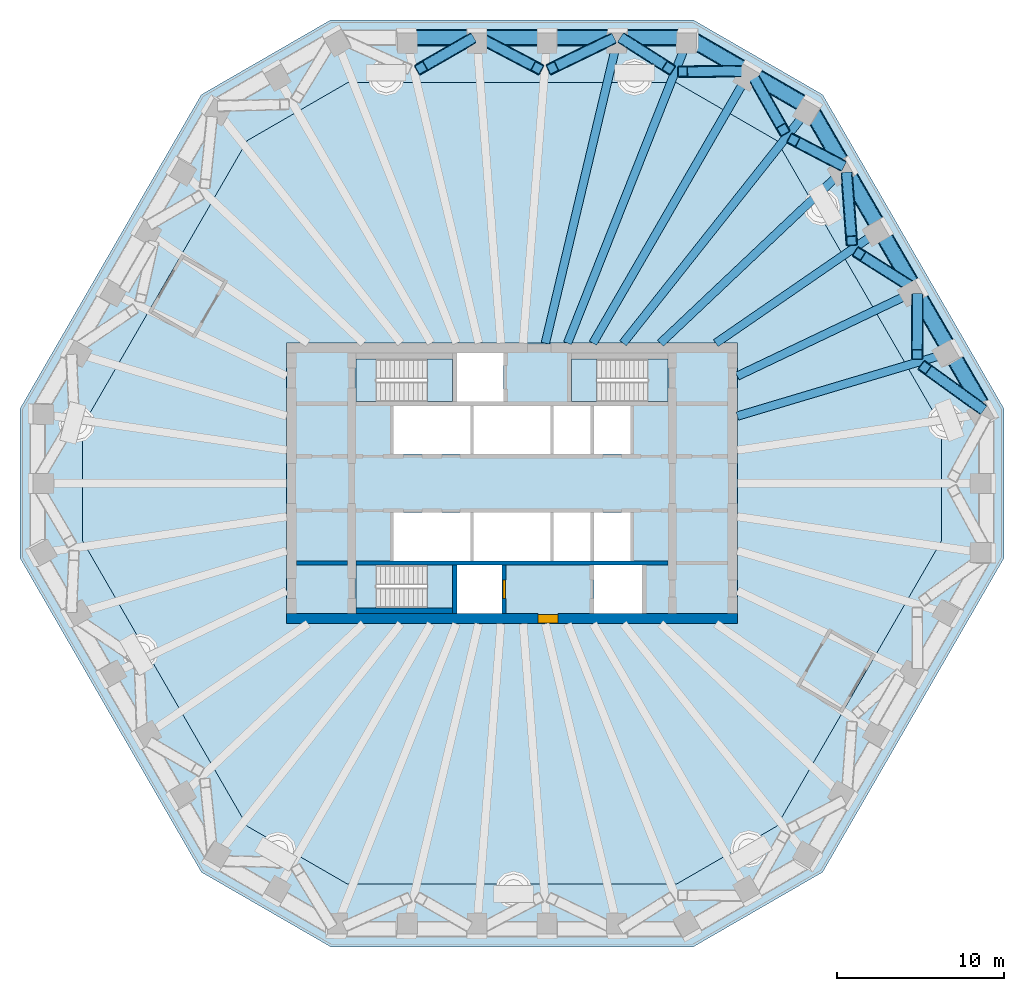
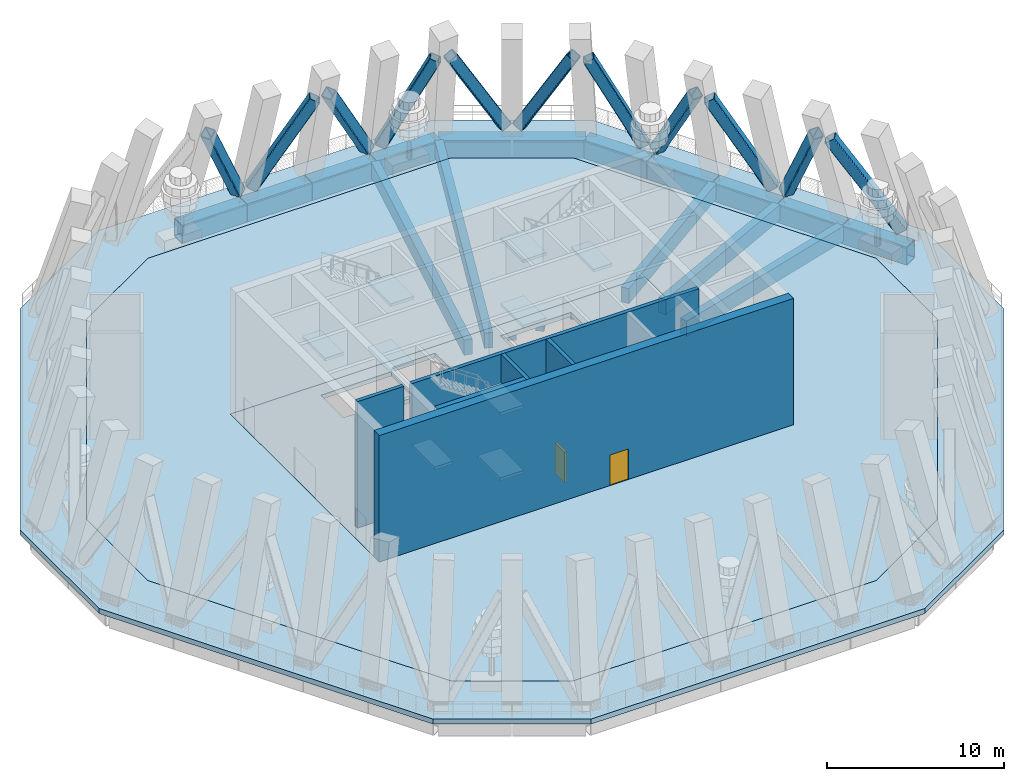
# One storey, part 3 of 11: 19 beams, 12 slabs, 11 members, 6 walls, 2 doors, 2 openings, 3 elements without a shape of their own.
"""IFC4 building model written with IfcOpenShell, lengths in metres."""

from ifc_helpers import new_model, si_unit, direction, frame, frame_2d, origin, origin_2d, place, context, subcontext, project, spatial, polyline, rectangle, hollow_rectangle, outline, extrude, material, layer, layer_set, material_profile, profile_set, type_object, element, fill, aggregate, save


model = new_model("IFC4")

# Units and contexts
model_context = context("Model", 3, precision=1e-05, world=origin(), true_north=direction((0.0, 1.0)))
body_context = subcontext(model_context, "Body", "Model", "MODEL_VIEW")
ifc_project = project(units=[si_unit("LENGTHUNIT", "METRE"), si_unit("AREAUNIT", "SQUARE_METRE"), si_unit("VOLUMEUNIT", "CUBIC_METRE"), si_unit("PLANEANGLEUNIT", "RADIAN"), si_unit("MASSUNIT", "GRAM", prefix="KILO")], contexts=[model_context])

# Site, building, storey
site_placement = place(None, origin())
site = spatial("IfcSite", under=ifc_project, at=site_placement, CompositionType="ELEMENT")
building_placement = place(site_placement, origin())
building = spatial("IfcBuilding", under=site, at=building_placement, Name="Frailejon Research Tower", CompositionType="ELEMENT")
storey_placement = place(building_placement, frame((0.0, 0.0, 202.39990234375)))
storey = spatial("IfcBuildingStorey", under=building, at=storey_placement, Name="L44", CompositionType="ELEMENT", Elevation=202.39990234375)

# Beams
ifc_material_1 = material(Name="Steel S355", Category="steel")
ifc_material_profile_1 = material_profile(ifc_material_1, hollow_rectangle(XDim=1.0, YDim=1.300048828125, WallThickness=0.06005859375, InnerFilletRadius=0.06005859375, OuterFilletRadius=0.1201171875, at=origin_2d()), Name="Belt chord")
ifc_profile_set_1 = profile_set([ifc_material_profile_1], Name="Steel S355")
beam_type_1 = type_object("IfcBeamType", Name="Belt chord", PredefinedType="BEAM", material=ifc_profile_set_1)
for number, where, z_axis, x_axis, name in (
    (1, (28.40283203125, 4.204833984375, -1.0), (-0.499991329354, 0.866030409726, 0.0), (-0.866030409726, -0.499991329354, 0.0), "Belt chord"),
    (2, (26.286865234375, 7.869873046875, -1.0), (-0.499991329354, 0.866030409726, 0.0), (-0.866030409726, -0.499991329354, 0.0), "Belt chord"),
    (3, (24.1708984375, 11.534912109375, -1.0), (-0.499991329354, 0.866030409726, 0.0), (-0.866030409726, -0.499991329354, 0.0), "Belt chord"),
    (4, (22.054931640625, 15.19970703125, -1.0), (-0.499991329354, 0.866030409726, 0.0), (-0.866030409726, -0.499991329354, 0.0), "Belt chord"),
    (5, (19.93896484375, 18.86474609375, -1.0), (-0.499991329354, 0.866030409726, 0.0), (-0.866030409726, -0.499991329354, 0.0), "Belt chord"),
):
    element("IfcBeam", number, at=place(storey_placement, frame(where, z_axis=z_axis, x_axis=x_axis)), inside=storey, type_object=beam_type_1, Name=name, PredefinedType="BEAM", context=body_context, shape_type="SweptSolid", body=[
        extrude(hollow_rectangle(XDim=1.0, YDim=1.300048828125, WallThickness=0.06005859375, InnerFilletRadius=0.06005859375, OuterFilletRadius=0.1201171875, at=origin_2d()), origin(), (0.0, 0.0, 1.0), 4.19189453125),
    ])
for number, where, z_axis, x_axis, name in (
    (6, (17.815673828125, 22.5224609375, -1.0), (-0.866039536849, 0.499975520016, 0.0), (-0.499975520016, -0.866039536849, 0.0), "Belt chord"),
    (7, (14.189208984375, 24.6162109375, -1.0), (-0.866039536849, 0.499975520016, 0.0), (-0.499975520016, -0.866039536849, 0.0), "Belt chord"),
):
    element("IfcBeam", number, at=place(storey_placement, frame(where, z_axis=z_axis, x_axis=x_axis)), inside=storey, type_object=beam_type_1, Name=name, PredefinedType="BEAM", context=body_context, shape_type="SweptSolid", body=[
        extrude(hollow_rectangle(XDim=1.0, YDim=1.300048828125, WallThickness=0.06005859375, InnerFilletRadius=0.06005859375, OuterFilletRadius=0.1201171875, at=origin_2d()), origin(), (0.0, 0.0, 1.0), 4.147705078125),
    ])
for number, where, z_axis, x_axis, name in (
    (8, (10.559814453125, 26.699951171875, -1.0), (-1.0, 0.0, 0.0), (0.0, -1.0, 0.0), "Belt chord"),
    (9, (6.327880859375, 26.699951171875, -1.0), (-1.0, 0.0, 0.0), (0.0, -1.0, 0.0), "Belt chord"),
    (10, (2.095947265625, 26.699951171875, -1.0), (-1.0, 0.0, 0.0), (0.0, -1.0, 0.0), "Belt chord"),
    (11, (-2.135986328125, 26.699951171875, -1.0), (-1.0, 0.0, 0.0), (0.0, -1.0, 0.0), "Belt chord"),
):
    element("IfcBeam", number, at=place(storey_placement, frame(where, z_axis=z_axis, x_axis=x_axis)), inside=storey, type_object=beam_type_1, Name=name, PredefinedType="BEAM", context=body_context, shape_type="SweptSolid", body=[
        extrude(hollow_rectangle(XDim=1.0, YDim=1.300048828125, WallThickness=0.06005859375, InnerFilletRadius=0.06005859375, OuterFilletRadius=0.1201171875, at=origin_2d()), origin(), (0.0, 0.0, 1.0), 4.19189453125),
    ])

# Members
ifc_material_2 = material(Name="Steel S355", Category="steel")
ifc_material_profile_2 = material_profile(ifc_material_2, hollow_rectangle(XDim=0.699951171875, YDim=0.699951171875, WallThickness=0.050048828125, InnerFilletRadius=0.050048828125, OuterFilletRadius=0.10009765625, at=origin_2d()), Name="Belt diagonal 9000")
ifc_profile_set_2 = profile_set([ifc_material_profile_2], Name="Steel S355")
member_type = type_object("IfcMemberType", Name="Belt diagonal 9000", PredefinedType="BRACE", material=ifc_profile_set_2)
member_1_placement = place(storey_placement, frame((28.02734375, 4.5556640625, 0.539306640625), z_axis=(-0.455429574102, 0.329319942755, 0.827122891919), x_axis=(-0.585956541923, -0.810342477584, 0.0)))
element("IfcMember", 12, at=member_1_placement, inside=storey, type_object=member_type, Name="Belt truss diagonal", PredefinedType="BRACE", context=body_context, shape_type="SweptSolid", body=[
    extrude(hollow_rectangle(XDim=0.699951171875, YDim=0.699951171875, WallThickness=0.050048828125, InnerFilletRadius=0.050048828125, OuterFilletRadius=0.10009765625, at=origin_2d()), origin(), (0.0, 0.0, 1.0), 7.248046875),
])
member_2_placement = place(storey_placement, frame((24.2763671875, 7.721923828125, 6.534423828125), z_axis=(-0.000924844301, 0.486859382743, -0.873479871604), x_axis=(-0.999998195741, -0.001899609344, 0.0)))
element("IfcMember", 13, at=member_2_placement, inside=storey, type_object=member_type, Name="Belt truss diagonal", PredefinedType="BRACE", context=body_context, shape_type="SweptSolid", body=[
    extrude(hollow_rectangle(XDim=0.699951171875, YDim=0.699951171875, WallThickness=0.050048828125, InnerFilletRadius=0.050048828125, OuterFilletRadius=0.10009765625, at=origin_2d()), origin(), (0.0, 0.0, 1.0), 6.863525390625),
])
member_3_placement = place(storey_placement, frame((23.820068359375, 11.843017578125, 0.539306640625), z_axis=(-0.433541818787, 0.273948366423, 0.858483420863), x_axis=(-0.534177644251, -0.845372251959, 0.0)))
element("IfcMember", 14, at=member_3_placement, inside=storey, type_object=member_type, Name="Belt truss diagonal", PredefinedType="BRACE", context=body_context, shape_type="SweptSolid", body=[
    extrude(hollow_rectangle(XDim=0.699951171875, YDim=0.699951171875, WallThickness=0.050048828125, InnerFilletRadius=0.050048828125, OuterFilletRadius=0.10009765625, at=origin_2d()), origin(), (0.0, 0.0, 1.0), 6.9833984375),
])
member_4_placement = place(storey_placement, frame((20.342529296875, 14.53564453125, 6.534423828125), z_axis=(-0.039376166446, 0.536470229335, -0.843000124883), x_axis=(-0.997317157609, -0.07320168809, 0.0)))
element("IfcMember", 15, at=member_4_placement, inside=storey, type_object=member_type, Name="Belt truss diagonal", PredefinedType="BRACE", context=body_context, shape_type="SweptSolid", body=[
    extrude(hollow_rectangle(XDim=0.699951171875, YDim=0.699951171875, WallThickness=0.050048828125, InnerFilletRadius=0.050048828125, OuterFilletRadius=0.10009765625, at=origin_2d()), origin(), (0.0, 0.0, 1.0), 7.111572265625),
])
member_5_placement = place(storey_placement, frame((19.612548828125, 19.13037109375, 0.539306640625), z_axis=(-0.40783284298, 0.21313604693, 0.887831852147), x_axis=(-0.46317005928, -0.886269426409, 0.0)))
element("IfcMember", 16, at=member_5_placement, inside=storey, type_object=member_type, Name="Belt truss diagonal", PredefinedType="BRACE", context=body_context, shape_type="SweptSolid", body=[
    extrude(hollow_rectangle(XDim=0.699951171875, YDim=0.699951171875, WallThickness=0.050048828125, InnerFilletRadius=0.050048828125, OuterFilletRadius=0.10009765625, at=origin_2d()), origin(), (0.0, 0.0, 1.0), 6.75244140625),
])
member_6_placement = place(storey_placement, frame((16.24560546875, 21.1865234375, 6.525390625), z_axis=(-0.249312096729, 0.440324709365, -0.862529784266), x_axis=(-0.870196108502, -0.492705523359, 0.0)))
element("IfcMember", 17, at=member_6_placement, inside=storey, type_object=member_type, Name="Belt truss diagonal", PredefinedType="BRACE", context=body_context, shape_type="SweptSolid", body=[
    extrude(hollow_rectangle(XDim=0.699951171875, YDim=0.699951171875, WallThickness=0.050048828125, InnerFilletRadius=0.050048828125, OuterFilletRadius=0.10009765625, at=origin_2d()), origin(), (0.0, 0.0, 1.0), 6.93896484375),
])
member_7_placement = place(storey_placement, frame((13.736328125, 24.69189453125, 0.540283203125), z_axis=(-0.506006536008, -0.004257181954, 0.862519137132), x_axis=(0.00841299665, -0.999964610117, 0.0)))
element("IfcMember", 18, at=member_7_placement, inside=storey, type_object=member_type, Name="Belt truss diagonal", PredefinedType="BRACE", context=body_context, shape_type="SweptSolid", body=[
    extrude(hollow_rectangle(XDim=0.699951171875, YDim=0.699951171875, WallThickness=0.050048828125, InnerFilletRadius=0.050048828125, OuterFilletRadius=0.10009765625, at=origin_2d()), origin(), (0.0, 0.0, 1.0), 6.939208984375),
])
member_8_placement = place(storey_placement, frame((9.384521484375, 24.885009765625, 6.534423828125), z_axis=(-0.388522527912, 0.246613824947, -0.887824231844), x_axis=(-0.535904143394, -0.844278833735, 0.0)))
element("IfcMember", 19, at=member_8_placement, inside=storey, type_object=member_type, Name="Belt truss diagonal", PredefinedType="BRACE", context=body_context, shape_type="SweptSolid", body=[
    extrude(hollow_rectangle(XDim=0.699951171875, YDim=0.699951171875, WallThickness=0.050048828125, InnerFilletRadius=0.050048828125, OuterFilletRadius=0.10009765625, at=origin_2d()), origin(), (0.0, 0.0, 1.0), 6.752685546875),
])
member_9_placement = place(storey_placement, frame((5.861083984375, 26.55029296875, 0.539306640625), z_axis=(-0.484284874826, -0.234160851435, 0.842992796926), x_axis=(0.435304023232, -0.900283514988, 0.0)))
element("IfcMember", 20, at=member_9_placement, inside=storey, type_object=member_type, Name="Belt truss diagonal", PredefinedType="BRACE", context=body_context, shape_type="SweptSolid", body=[
    extrude(hollow_rectangle(XDim=0.699951171875, YDim=0.699951171875, WallThickness=0.050048828125, InnerFilletRadius=0.050048828125, OuterFilletRadius=0.10009765625, at=origin_2d()), origin(), (0.0, 0.0, 1.0), 7.11181640625),
])
member_10_placement = place(storey_placement, frame((1.516845703125, 24.885009765625, 6.534423828125), z_axis=(-0.454028371539, 0.238463657678, -0.85848315173), x_axis=(-0.464984860682, -0.885318631531, 0.0)))
element("IfcMember", 21, at=member_10_placement, inside=storey, type_object=member_type, Name="Belt truss diagonal", PredefinedType="BRACE", context=body_context, shape_type="SweptSolid", body=[
    extrude(hollow_rectangle(XDim=0.699951171875, YDim=0.699951171875, WallThickness=0.050048828125, InnerFilletRadius=0.050048828125, OuterFilletRadius=0.10009765625, at=origin_2d()), origin(), (0.0, 0.0, 1.0), 6.9833984375),
])
member_11_placement = place(storey_placement, frame((-2.5537109375, 26.55029296875, 0.539306640625), z_axis=(-0.422086485948, -0.242630365806, 0.873483545334), x_axis=(0.498364048044, -0.866967863082, 0.0)))
element("IfcMember", 22, at=member_11_placement, inside=storey, type_object=member_type, Name="Belt truss diagonal", PredefinedType="BRACE", context=body_context, shape_type="SweptSolid", body=[
    extrude(hollow_rectangle(XDim=0.699951171875, YDim=0.699951171875, WallThickness=0.050048828125, InnerFilletRadius=0.050048828125, OuterFilletRadius=0.10009765625, at=origin_2d()), origin(), (0.0, 0.0, 1.0), 6.863525390625),
])

# Beams
ifc_material_3 = material(Name="Concrete C60/75", Category="concrete")
ifc_material_profile_3 = material_profile(ifc_material_3, rectangle(XDim=0.5, YDim=1.050048828125, at=origin_2d()), Name="Girder 500x1050")
ifc_profile_set_3 = profile_set([ifc_material_profile_3], Name="Concrete C60/75")
beam_type_2 = type_object("IfcBeamType", Name="Girder 500x1050", PredefinedType="BEAM", material=ifc_profile_set_3)
beam_1_placement = place(storey_placement, frame((25.849609375, 7.718994140625, -0.824951171875), z_axis=(-0.958191499802, -0.286127680779, 0.0), x_axis=(0.286127680779, -0.958191499802, 0.0)))
element("IfcBeam", 23, at=beam_1_placement, inside=storey, type_object=beam_type_2, Name="Girder 500x1050", PredefinedType="BEAM", context=body_context, shape_type="SweptSolid", body=[
    extrude(rectangle(XDim=0.5, YDim=1.050048828125, at=origin_2d()), origin(), (0.0, 0.0, 1.0), 12.888427734375),
])
beam_2_placement = place(storey_placement, frame((23.77294921875, 11.3232421875, -0.824951171875), z_axis=(-0.902820061987, -0.430018529454, 0.0), x_axis=(0.430018529454, -0.902820061987, 0.0)))
element("IfcBeam", 24, at=beam_2_placement, inside=storey, type_object=beam_type_2, Name="Girder 500x1050", PredefinedType="BEAM", context=body_context, shape_type="SweptSolid", body=[
    extrude(rectangle(XDim=0.5, YDim=1.050048828125, at=origin_2d()), origin(), (0.0, 0.0, 1.0), 11.378662109375),
])
beam_3_placement = place(storey_placement, frame((21.692626953125, 14.92626953125, -0.824951171875), z_axis=(-0.823817884516, -0.566854560846, 0.0), x_axis=(0.566854560846, -0.823817884516, 0.0)))
element("IfcBeam", 25, at=beam_3_placement, inside=storey, type_object=beam_type_2, Name="Girder 500x1050", PredefinedType="BEAM", context=body_context, shape_type="SweptSolid", body=[
    extrude(rectangle(XDim=0.5, YDim=1.050048828125, at=origin_2d()), origin(), (0.0, 0.0, 1.0), 11.51318359375),
])
beam_4_placement = place(storey_placement, frame((19.609619140625, 18.527099609375, -0.824951171875), z_axis=(-0.726879987685, -0.686764503671, 0.0), x_axis=(0.686764503671, -0.726879987685, 0.0)))
element("IfcBeam", 26, at=beam_4_placement, inside=storey, type_object=beam_type_2, Name="Girder 500x1050", PredefinedType="BEAM", context=body_context, shape_type="SweptSolid", body=[
    extrude(rectangle(XDim=0.5, YDim=1.050048828125, at=origin_2d()), origin(), (0.0, 0.0, 1.0), 14.746337890625),
])
beam_5_placement = place(storey_placement, frame((17.549560546875, 22.154541015625, -0.824951171875), z_axis=(-0.620936339442, -0.783860996836, 0.0), x_axis=(0.783860996836, -0.620936339442, 0.0)))
element("IfcBeam", 27, at=beam_5_placement, inside=storey, type_object=beam_type_2, Name="Girder 500x1050", PredefinedType="BEAM", context=body_context, shape_type="SweptSolid", body=[
    extrude(rectangle(XDim=0.5, YDim=1.050048828125, at=origin_2d()), origin(), (0.0, 0.0, 1.0), 17.54736328125),
])
beam_6_placement = place(storey_placement, frame((13.9814453125, 24.216552734375, -0.824951171875), z_axis=(-0.500003637439, -0.866023303698, 0.0), x_axis=(0.866023303698, -0.500003637439, 0.0)))
element("IfcBeam", 28, at=beam_6_placement, inside=storey, type_object=beam_type_2, Name="Girder 500x1050", PredefinedType="BEAM", context=body_context, shape_type="SweptSolid", body=[
    extrude(rectangle(XDim=0.5, YDim=1.050048828125, at=origin_2d()), origin(), (0.0, 0.0, 1.0), 18.263427734375),
])
beam_7_placement = place(storey_placement, frame((10.3974609375, 26.239501953125, -0.824951171875), z_axis=(-0.368379099234, -0.92967566347, 0.0), x_axis=(0.92967566347, -0.368379099234, 0.0)))
element("IfcBeam", 29, at=beam_7_placement, inside=storey, type_object=beam_type_2, Name="Girder 500x1050", PredefinedType="BEAM", context=body_context, shape_type="SweptSolid", body=[
    extrude(rectangle(XDim=0.5, YDim=1.050048828125, at=origin_2d()), origin(), (0.0, 0.0, 1.0), 19.18896484375),
])
beam_8_placement = place(storey_placement, frame((6.239990234375, 26.245849609375, -0.824951171875), z_axis=(-0.231305029617, -0.972881279126, 0.0), x_axis=(0.972881279126, -0.231305029617, 0.0)))
element("IfcBeam", 30, at=beam_8_placement, inside=storey, type_object=beam_type_2, Name="Girder 500x1050", PredefinedType="BEAM", context=body_context, shape_type="SweptSolid", body=[
    extrude(rectangle(XDim=0.5, YDim=1.050048828125, at=origin_2d()), origin(), (0.0, 0.0, 1.0), 18.343505859375),
])

# Slabs
ifc_material_4 = material(Name="Concrete C60/75", Category="concrete")
ifc_layer_1 = layer(ifc_material_4, 0.300048828125)
ifc_layer_set_1 = layer_set([ifc_layer_1], Name="Core floor slab 300 C60/75")
slab_type_1 = type_object("IfcSlabType", Name="Core floor slab 300 C60/75", PredefinedType="FLOOR", material=ifc_layer_set_1)
slab_1_placement = place(storey_placement, frame((0.0, 0.0, -0.2998046875)))
element("IfcSlab", 31, at=slab_1_placement, inside=storey, type_object=slab_type_1, Name="Core floor slab", PredefinedType="FLOOR", context=body_context, shape_type="SweptSolid", body=[
    extrude(outline(polyline([(13.5, -8.39990234375), (13.5, 8.39990234375), (-13.5, 8.39990234375), (-13.5, -8.39990234375), (13.5, -8.39990234375)]), holes=[polyline([(-2.5, 1.75), (-2.5, 4.64990234375), (-7.10009765625, 4.64990234375), (-7.10009765625, 1.75), (-2.5, 1.75)]), polyline([(2.300048828125, 1.75), (2.300048828125, 4.64990234375), (-2.300048828125, 4.64990234375), (-2.300048828125, 1.75), (2.300048828125, 1.75)]), polyline([(4.699951171875, 1.75), (4.699951171875, 4.64990234375), (2.5, 4.64990234375), (2.5, 1.75), (4.699951171875, 1.75)]), polyline([(7.10009765625, 1.75), (7.10009765625, 4.64990234375), (4.89990234375, 4.64990234375), (4.89990234375, 1.75), (7.10009765625, 1.75)]), polyline([(-2.5, -4.64990234375), (-2.5, -1.75), (-7.10009765625, -1.75), (-7.10009765625, -4.64990234375), (-2.5, -4.64990234375)]), polyline([(2.300048828125, -4.64990234375), (2.300048828125, -1.75), (-2.300048828125, -1.75), (-2.300048828125, -4.64990234375), (2.300048828125, -4.64990234375)]), polyline([(4.699951171875, -4.64990234375), (4.699951171875, -1.75), (2.5, -1.75), (2.5, -4.64990234375), (4.699951171875, -4.64990234375)]), polyline([(7.10009765625, -4.64990234375), (7.10009765625, -1.75), (4.89990234375, -1.75), (4.89990234375, -4.64990234375), (7.10009765625, -4.64990234375)]), polyline([(-8.14697265625, 4.89990234375), (-3.550048828125, 4.89990234375), (-3.550048828125, 7.449951171875), (-8.14697265625, 7.449951171875), (-8.14697265625, 4.89990234375)]), polyline([(-8.14697265625, -7.449951171875), (-3.550048828125, -7.449951171875), (-3.550048828125, -4.89990234375), (-8.14697265625, -4.89990234375), (-8.14697265625, -7.449951171875)]), polyline([(8.14697265625, 7.449951171875), (3.550048828125, 7.449951171875), (3.550048828125, 4.89990234375), (8.14697265625, 4.89990234375), (8.14697265625, 7.449951171875)]), polyline([(-0.60009765625, -7.800048828125), (-0.60009765625, -4.89990234375), (-3.300048828125, -4.89990234375), (-3.300048828125, -7.800048828125), (-0.60009765625, -7.800048828125)]), polyline([(7.800048828125, -7.800048828125), (7.800048828125, -4.89990234375), (4.89990234375, -4.89990234375), (4.89990234375, -7.800048828125), (7.800048828125, -7.800048828125)]), polyline([(-0.5, 4.89990234375), (-0.5, 7.800048828125), (-3.300048828125, 7.800048828125), (-3.300048828125, 4.89990234375), (-0.5, 4.89990234375)])]), origin(), (0.0, 0.0, 1.0), 0.2998046875),
])
ifc_material_5 = material(Name="Concrete C40/50", Category="concrete")
ifc_layer_2 = layer(ifc_material_5, 0.300048828125)
ifc_layer_set_2 = layer_set([ifc_layer_2], Name="Slab typical 300")
slab_type_2 = type_object("IfcSlabType", Name="Slab typical 300", PredefinedType="FLOOR", material=ifc_layer_set_2)
slab_2_placement = place(storey_placement, frame((0.0, 0.0, -0.2998046875)))
element("IfcSlab", 32, at=slab_2_placement, inside=storey, type_object=slab_type_2, Name="Floor slab L44", PredefinedType="FLOOR", context=body_context, shape_type="SweptSolid", body=[
    extrude(outline(polyline([(25.712890625, -3.464111328125), (25.712890625, 3.464111328125), (15.8564453125, 20.535888671875), (9.8564453125, 24.0), (-9.8564453125, 24.0), (-15.8564453125, 20.535888671875), (-25.712890625, 3.464111328125), (-25.712890625, -3.464111328125), (-15.8564453125, -20.535888671875), (-9.8564453125, -24.0), (9.8564453125, -24.0), (15.8564453125, -20.535888671875), (25.712890625, -3.464111328125)]), holes=[polyline([(13.5, -8.39990234375), (-13.5, -8.39990234375), (-13.5, 8.39990234375), (13.5, 8.39990234375), (13.5, -8.39990234375)])]), origin(), (0.0, 0.0, 1.0), 0.2998046875),
])

# Stair, slabs
ifc_material_6 = material(Name="Concrete C50/60", Category="concrete")
stair_type = type_object("IfcStairType", Name="Exit stair 48 risers", PredefinedType="HALF_TURN_STAIR", material=ifc_material_6)
stair_1_placement = place(storey_placement, origin())
stair_1 = element("IfcStair", 33, at=stair_1_placement, inside=storey, type_object=stair_type, Name="L44 Exit stair ST1", PredefinedType="HALF_TURN_STAIR")
ifc_material_7 = material(Name="Concrete C50/60", Category="concrete")
ifc_layer_3 = layer(ifc_material_7, 0.199951171875)
ifc_layer_set_3 = layer_set([ifc_layer_3], Name="Stair landing slab 200")
slab_type_3 = type_object("IfcSlabType", Name="Stair landing slab 200", PredefinedType="LANDING", material=ifc_layer_set_3)
slab_3_placement = place(storey_placement, frame((0.0, 0.0, 2.050048828125)))
slab_3 = element("IfcSlab", 34, at=slab_3_placement, type_object=slab_type_3, Name="ST1 landing 1", PredefinedType="LANDING", context=body_context, shape_type="SweptSolid", body=[
    extrude(outline(polyline([(-5.070068359375, 4.89990234375), (-3.550048828125, 4.89990234375), (-3.550048828125, 7.449951171875), (-5.070068359375, 7.449951171875), (-5.070068359375, 4.89990234375)])), origin(), (0.0, 0.0, 1.0), 0.199951171875),
])
slab_4_placement = place(storey_placement, frame((0.0, 0.0, 4.300048828125)))
slab_4 = element("IfcSlab", 35, at=slab_4_placement, type_object=slab_type_3, Name="ST1 landing 2", PredefinedType="LANDING", context=body_context, shape_type="SweptSolid", body=[
    extrude(outline(polyline([(-9.35009765625, 4.89990234375), (-8.14990234375, 4.89990234375), (-8.14990234375, 7.449951171875), (-9.35009765625, 7.449951171875), (-9.35009765625, 4.89990234375)])), origin(), (0.0, 0.0, 1.0), 0.199951171875),
])
slab_5_placement = place(storey_placement, frame((0.0, 0.0, 6.550048828125)))
slab_5 = element("IfcSlab", 36, at=slab_5_placement, type_object=slab_type_3, Name="ST1 landing 3", PredefinedType="LANDING", context=body_context, shape_type="SweptSolid", body=[
    extrude(outline(polyline([(-5.070068359375, 4.89990234375), (-3.550048828125, 4.89990234375), (-3.550048828125, 7.449951171875), (-5.070068359375, 7.449951171875), (-5.070068359375, 4.89990234375)])), origin(), (0.0, 0.0, 1.0), 0.199951171875),
])
aggregate(stair_1, [slab_3, slab_4, slab_5])

stair_2_placement = place(storey_placement, origin())
stair_2 = element("IfcStair", 37, at=stair_2_placement, inside=storey, type_object=stair_type, Name="L44 Exit stair ST2", PredefinedType="HALF_TURN_STAIR")
slab_6_placement = place(storey_placement, frame((0.0, 0.0, 2.050048828125)))
slab_6 = element("IfcSlab", 38, at=slab_6_placement, type_object=slab_type_3, Name="ST2 landing 1", PredefinedType="LANDING", context=body_context, shape_type="SweptSolid", body=[
    extrude(outline(polyline([(-5.070068359375, -7.449951171875), (-3.550048828125, -7.449951171875), (-3.550048828125, -4.89990234375), (-5.070068359375, -4.89990234375), (-5.070068359375, -7.449951171875)])), origin(), (0.0, 0.0, 1.0), 0.199951171875),
])
slab_7_placement = place(storey_placement, frame((0.0, 0.0, 4.300048828125)))
slab_7 = element("IfcSlab", 39, at=slab_7_placement, type_object=slab_type_3, Name="ST2 landing 2", PredefinedType="LANDING", context=body_context, shape_type="SweptSolid", body=[
    extrude(outline(polyline([(-9.35009765625, -7.449951171875), (-8.14990234375, -7.449951171875), (-8.14990234375, -4.89990234375), (-9.35009765625, -4.89990234375), (-9.35009765625, -7.449951171875)])), origin(), (0.0, 0.0, 1.0), 0.199951171875),
])
slab_8_placement = place(storey_placement, frame((0.0, 0.0, 6.550048828125)))
slab_8 = element("IfcSlab", 40, at=slab_8_placement, type_object=slab_type_3, Name="ST2 landing 3", PredefinedType="LANDING", context=body_context, shape_type="SweptSolid", body=[
    extrude(outline(polyline([(-5.070068359375, -7.449951171875), (-3.550048828125, -7.449951171875), (-3.550048828125, -4.89990234375), (-5.070068359375, -4.89990234375), (-5.070068359375, -7.449951171875)])), origin(), (0.0, 0.0, 1.0), 0.199951171875),
])
aggregate(stair_2, [slab_6, slab_7, slab_8])

stair_3_placement = place(storey_placement, origin())
stair_3 = element("IfcStair", 41, at=stair_3_placement, inside=storey, type_object=stair_type, Name="L44 Exit stair ST3", PredefinedType="HALF_TURN_STAIR")
slab_9_placement = place(storey_placement, frame((0.0, 0.0, 2.050048828125)))
slab_9 = element("IfcSlab", 42, at=slab_9_placement, type_object=slab_type_3, Name="ST3 landing 1", PredefinedType="LANDING", context=body_context, shape_type="SweptSolid", body=[
    extrude(outline(polyline([(5.070068359375, 7.449951171875), (3.550048828125, 7.449951171875), (3.550048828125, 4.89990234375), (5.070068359375, 4.89990234375), (5.070068359375, 7.449951171875)])), origin(), (0.0, 0.0, 1.0), 0.199951171875),
])
slab_10_placement = place(storey_placement, frame((0.0, 0.0, 4.300048828125)))
slab_10 = element("IfcSlab", 43, at=slab_10_placement, type_object=slab_type_3, Name="ST3 landing 2", PredefinedType="LANDING", context=body_context, shape_type="SweptSolid", body=[
    extrude(outline(polyline([(9.35009765625, 7.449951171875), (8.14990234375, 7.449951171875), (8.14990234375, 4.89990234375), (9.35009765625, 4.89990234375), (9.35009765625, 7.449951171875)])), origin(), (0.0, 0.0, 1.0), 0.199951171875),
])
slab_11_placement = place(storey_placement, frame((0.0, 0.0, 6.550048828125)))
slab_11 = element("IfcSlab", 44, at=slab_11_placement, type_object=slab_type_3, Name="ST3 landing 3", PredefinedType="LANDING", context=body_context, shape_type="SweptSolid", body=[
    extrude(outline(polyline([(5.070068359375, 7.449951171875), (3.550048828125, 7.449951171875), (3.550048828125, 4.89990234375), (5.070068359375, 4.89990234375), (5.070068359375, 7.449951171875)])), origin(), (0.0, 0.0, 1.0), 0.199951171875),
])
aggregate(stair_3, [slab_9, slab_10, slab_11])

# Slab
ifc_material_8 = material(Name="Concrete C40/50", Category="concrete")
ifc_layer_4 = layer(ifc_material_8, 0.35009765625)
ifc_layer_set_4 = layer_set([ifc_layer_4], Name="Wind floor terrace slab 350")
slab_type_4 = type_object("IfcSlabType", Name="Wind floor terrace slab 350", PredefinedType="FLOOR", material=ifc_layer_set_4)
slab_12_placement = place(storey_placement, frame((0.0, 0.0, -0.349853515625)))
element("IfcSlab", 45, at=slab_12_placement, inside=storey, type_object=slab_type_4, Name="Wind floor terrace slab L44", PredefinedType="FLOOR", context=body_context, shape_type="SweptSolid", body=[
    extrude(outline(polyline([(18.60791015625, -23.287353515625), (10.863525390625, -27.758544921875), (-10.863525390625, -27.758544921875), (-18.60791015625, -23.287353515625), (-29.471435546875, -4.47119140625), (-29.471435546875, 4.47119140625), (-18.60791015625, 23.287353515625), (-10.863525390625, 27.758544921875), (10.863525390625, 27.758544921875), (18.60791015625, 23.287353515625), (29.471435546875, 4.47119140625), (29.471435546875, -4.47119140625), (18.60791015625, -23.287353515625)]), holes=[polyline([(25.712890625, 3.464111328125), (15.8564453125, 20.535888671875), (9.8564453125, 24.0), (-9.8564453125, 24.0), (-15.8564453125, 20.535888671875), (-25.712890625, 3.464111328125), (-25.712890625, -3.464111328125), (-15.8564453125, -20.535888671875), (-9.8564453125, -24.0), (9.8564453125, -24.0), (15.8564453125, -20.535888671875), (25.712890625, -3.464111328125), (25.712890625, 3.464111328125)])]), origin(), (0.0, 0.0, 1.0), 0.349853515625),
])

# Wall, opening, door
ifc_material_9 = material(Name="Concrete C60/75", Category="concrete")
ifc_layer_5 = layer(ifc_material_9, 0.60009765625)
ifc_layer_set_5 = layer_set([ifc_layer_5], Name="Core shear wall 600 C60/75")
wall_type_1 = type_object("IfcWallType", Name="Core shear wall 600 C60/75", PredefinedType="SHEAR", material=ifc_layer_set_5)
wall_1_placement = place(storey_placement, frame((-13.5, -8.10009765625, 0.0), z_axis=(0.0, 0.0, 1.0), x_axis=(1.0, 0.0, 0.0)))
wall_1 = element("IfcWall", 46, at=wall_1_placement, inside=storey, type_object=wall_type_1, Name="Core shear wall", PredefinedType="SHEAR", context=body_context, shape_type="SweptSolid", body=[
    extrude(rectangle(XDim=27.0, YDim=0.60009765625, at=frame_2d((13.5, 0.0))), origin(), (0.0, 0.0, 1.0), 8.7001953125),
])
opening_1_placement = place(wall_1_placement, frame((15.050048828125, 0.0, 0.0)))
opening_1 = element("IfcOpeningElement", 47, at=opening_1_placement, cuts=wall_1, Name="Opening D3", PredefinedType="OPENING", context=body_context, shape_type="SweptSolid", body=[
    extrude(rectangle(XDim=1.199951171875, YDim=2.10009765625, at=frame_2d((0.60009765625, 1.050048828125))), frame((0.0, 0.31005859375, 0.0), z_axis=(0.0, -1.0, 0.0), x_axis=(1.0, 0.0, 0.0)), (0.0, 0.0, 1.0), 0.6201171875),
])
ifc_material_10 = material(Name="Steel", Category="steel")
door_type_1 = type_object("IfcDoorType", Name="Firefighting lobby door", OperationType="SINGLE_SWING_LEFT", PredefinedType="DOOR", material=ifc_material_10)
door_1_placement = place(opening_1_placement, origin())
door_1 = element("IfcDoor", 48, at=door_1_placement, inside=storey, type_object=door_type_1, Name="Firefighting lobby door", OperationType="SINGLE_SWING_RIGHT", OverallHeight=2.10009765625, OverallWidth=1.199951171875, PredefinedType="DOOR", context=body_context, shape_type="SweptSolid", body=[
    extrude(rectangle(XDim=1.199951171875, YDim=2.10009765625, at=frame_2d((0.60009765625, 1.050048828125))), frame((0.0, 0.25, 0.0), z_axis=(0.0, -1.0, 0.0), x_axis=(1.0, 0.0, 0.0)), (0.0, 0.0, 1.0), 0.5),
])
fill(opening_1, door_1)

# Walls
ifc_material_11 = material(Name="Concrete C60/75", Category="concrete")
ifc_layer_6 = layer(ifc_material_11, 0.25)
ifc_layer_set_6 = layer_set([ifc_layer_6], Name="Shaft wall 250 C60/75")
wall_type_2 = type_object("IfcWallType", Name="Shaft wall 250 C60/75", PredefinedType="SOLIDWALL", material=ifc_layer_set_6)
wall_2_placement = place(storey_placement, frame((-12.89990234375, -4.77490234375, 0.0), z_axis=(0.0, 0.0, 1.0), x_axis=(1.0, 0.0, 0.0)))
element("IfcWall", 49, at=wall_2_placement, inside=storey, type_object=wall_type_2, Name="Shaft wall", PredefinedType="SOLIDWALL", context=body_context, shape_type="SweptSolid", body=[
    extrude(rectangle(XDim=3.0498046875, YDim=0.25, at=frame_2d((1.52490234375, 0.0))), origin(), (0.0, 0.0, 1.0), 8.7001953125),
])
wall_3_placement = place(storey_placement, frame((-9.35009765625, -4.77490234375, 0.0), z_axis=(0.0, 0.0, 1.0), x_axis=(1.0, 0.0, 0.0)))
element("IfcWall", 50, at=wall_3_placement, inside=storey, type_object=wall_type_2, Name="Shaft wall", PredefinedType="SOLIDWALL", context=body_context, shape_type="SweptSolid", body=[
    extrude(rectangle(XDim=18.7001953125, YDim=0.25, at=frame_2d((9.35009765625, 0.0))), origin(), (0.0, 0.0, 1.0), 8.7001953125),
])
wall_4_placement = place(storey_placement, frame((-3.425048828125, -7.800048828125, 0.0), z_axis=(0.0, 0.0, 1.0), x_axis=(0.0, 1.0, 0.0)))
element("IfcWall", 51, at=wall_4_placement, inside=storey, type_object=wall_type_2, Name="Shaft wall", PredefinedType="SOLIDWALL", context=body_context, shape_type="SweptSolid", body=[
    extrude(rectangle(XDim=2.900146484375, YDim=0.25, at=frame_2d((1.4501953125, 0.0))), origin(), (0.0, 0.0, 1.0), 8.7001953125),
])

# Wall, opening, door
wall_5_placement = place(storey_placement, frame((-0.47509765625, -7.800048828125, 0.0), z_axis=(0.0, 0.0, 1.0), x_axis=(0.0, 1.0, 0.0)))
wall_5 = element("IfcWall", 52, at=wall_5_placement, inside=storey, type_object=wall_type_2, Name="Shaft wall", PredefinedType="SOLIDWALL", context=body_context, shape_type="SweptSolid", body=[
    extrude(rectangle(XDim=2.900146484375, YDim=0.25, at=frame_2d((1.4501953125, 0.0))), origin(), (0.0, 0.0, 1.0), 8.7001953125),
])
opening_2_placement = place(wall_5_placement, frame((0.89990234375, 0.0, 0.0)))
opening_2 = element("IfcOpeningElement", 53, at=opening_2_placement, cuts=wall_5, Name="Opening LD", PredefinedType="OPENING", context=body_context, shape_type="SweptSolid", body=[
    extrude(rectangle(XDim=1.10009765625, YDim=2.10009765625, at=frame_2d((0.550048828125, 1.050048828125))), frame((0.0, 0.135009765625, 0.0), z_axis=(0.0, -1.0, 0.0), x_axis=(1.0, 0.0, 0.0)), (0.0, 0.0, 1.0), 0.27001953125),
])
ifc_material_12 = material(Name="Steel", Category="steel")
door_type_2 = type_object("IfcDoorType", Name="Lift landing door", OperationType="DOUBLE_DOOR_SLIDING", PredefinedType="DOOR", material=ifc_material_12)
door_2_placement = place(opening_2_placement, origin())
door_2 = element("IfcDoor", 54, at=door_2_placement, inside=storey, type_object=door_type_2, Name="Lift landing door", OperationType="DOUBLE_DOOR_SLIDING", OverallHeight=2.10009765625, OverallWidth=1.10009765625, PredefinedType="DOOR", context=body_context, shape_type="SweptSolid", body=[
    extrude(rectangle(XDim=1.10009765625, YDim=2.10009765625, at=frame_2d((0.550048828125, 1.050048828125))), frame((0.0, 0.074951171875, 0.0), z_axis=(0.0, -1.0, 0.0), x_axis=(1.0, 0.0, 0.0)), (0.0, 0.0, 1.0), 0.14990234375),
])
fill(opening_2, door_2)

# Wall
ifc_material_13 = material(Name="Concrete C60/75", Category="concrete")
ifc_layer_7 = layer(ifc_material_13, 0.35009765625)
ifc_layer_set_7 = layer_set([ifc_layer_7], Name="Shaft wall 350 C60/75")
wall_type_3 = type_object("IfcWallType", Name="Shaft wall 350 C60/75", PredefinedType="SOLIDWALL", material=ifc_layer_set_7)
wall_6_placement = place(storey_placement, frame((-9.35009765625, -7.625, 0.0), z_axis=(0.0, 0.0, 1.0), x_axis=(1.0, 0.0, 0.0)))
element("IfcWall", 55, at=wall_6_placement, inside=storey, type_object=wall_type_3, Name="Shaft wall", PredefinedType="SOLIDWALL", context=body_context, shape_type="SweptSolid", body=[
    extrude(rectangle(XDim=5.800048828125, YDim=0.35009765625, at=frame_2d((2.89990234375, 0.0))), origin(), (0.0, 0.0, 1.0), 8.7001953125),
])

save(model, "model.ifc")
